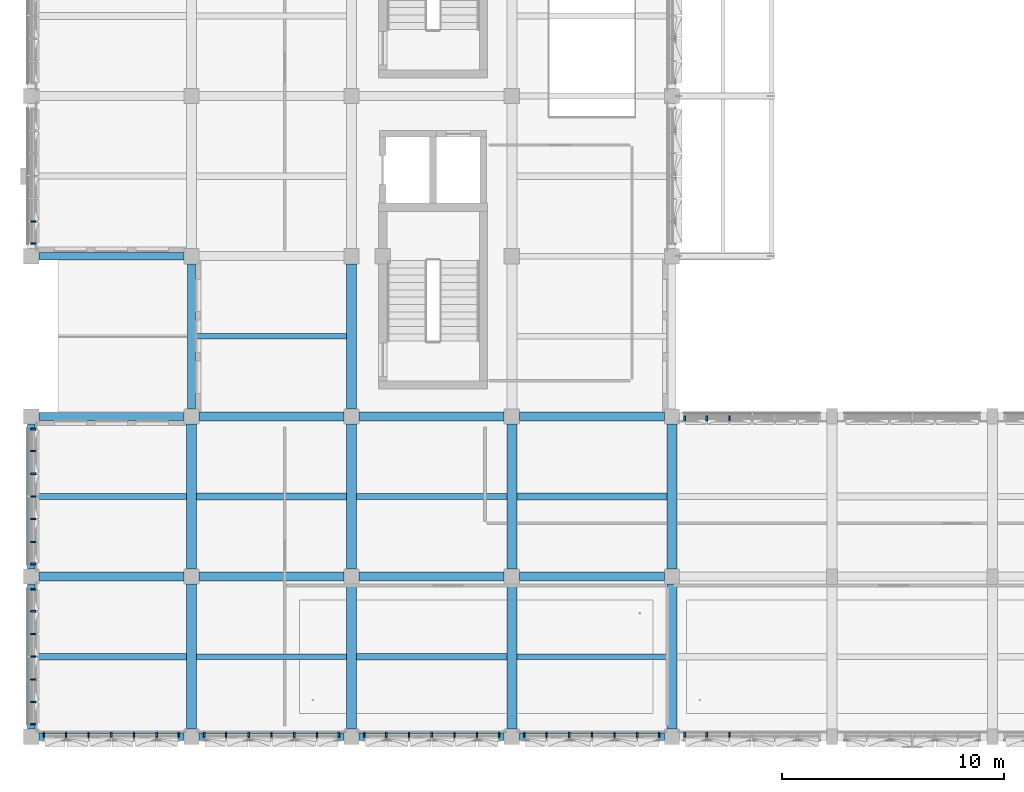
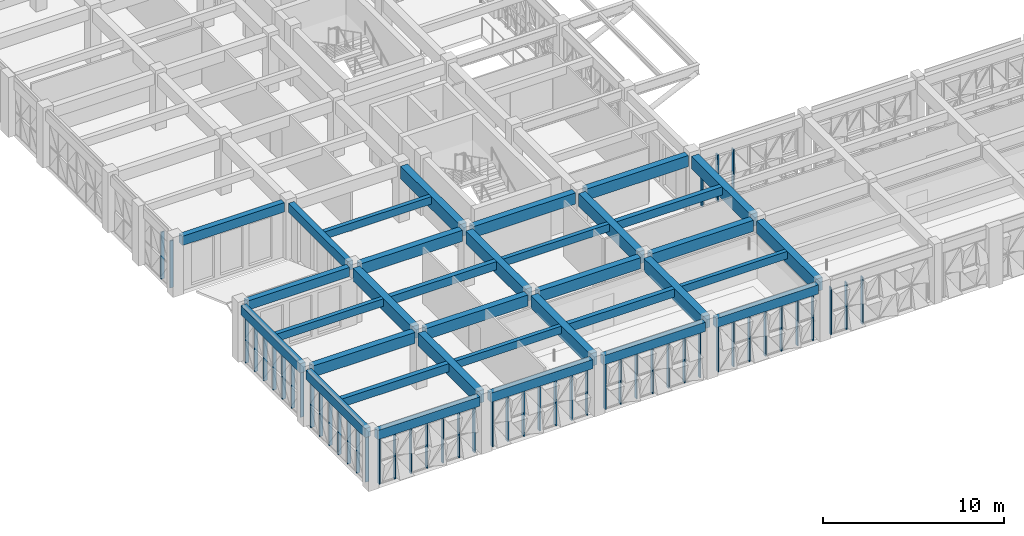
# One storey, part 3 of 88: 50 members, 34 beams, 9 elements without a shape of their own.
"""IFC4 building model written with IfcOpenShell, lengths in metres."""

from ifc_helpers import new_model, si_unit, direction, frame, origin, origin_2d, place, context, subcontext, project, spatial, rectangle, extrude, material, material_profile, profile_set, type_object, element, aggregate, save


model = new_model("IFC4")

# Units and contexts
model_context = context("Model", 3, precision=1e-05, world=origin(), true_north=direction((0.0, 1.0)))
body_context = subcontext(model_context, "Body", "Model", "MODEL_VIEW")
ifc_project = project(units=[si_unit("LENGTHUNIT", "METRE"), si_unit("AREAUNIT", "SQUARE_METRE"), si_unit("VOLUMEUNIT", "CUBIC_METRE"), si_unit("PLANEANGLEUNIT", "RADIAN"), si_unit("MASSUNIT", "GRAM", prefix="KILO")], contexts=[model_context])

# Site, building, storey
site_placement = place(None, origin())
site = spatial("IfcSite", under=ifc_project, at=site_placement, CompositionType="ELEMENT")
building_placement = place(site_placement, origin())
building = spatial("IfcBuilding", under=site, at=building_placement, Name="Alvorim Cloister Faculty of Sciences", CompositionType="ELEMENT")
storey_placement = place(building_placement, frame((0.0, 0.0, 4.5)))
storey = spatial("IfcBuildingStorey", under=building, at=storey_placement, Name="L01", CompositionType="ELEMENT", Elevation=4.5)

# Beams
ifc_material_1 = material(Name="Concrete C40", Category="concrete")
ifc_material_profile_1 = material_profile(ifc_material_1, rectangle(XDim=0.260009765625, YDim=0.5, at=origin_2d()), Name="RC40-JST-260x500")
ifc_profile_set_1 = profile_set([ifc_material_profile_1], Name="Concrete C40")
beam_type_1 = type_object("IfcBeamType", Name="BM-JST-RC-260x500", PredefinedType="JOIST", material=ifc_profile_set_1)
beam_1_placement = place(storey_placement, frame((0.175048828125, 10.800048828125, 3.5400390625), z_axis=(1.0, 0.0, 0.0), x_axis=(0.0, 1.0, 0.0)))
element("IfcBeam", 1, at=beam_1_placement, inside=storey, type_object=beam_type_1, Name="L01 Secondary Floor Joist BM-1144", PredefinedType="JOIST", context=body_context, shape_type="SweptSolid", body=[
    extrude(rectangle(XDim=0.260009765625, YDim=0.5, at=origin_2d()), origin(), (0.0, 0.0, 1.0), 6.800048828125),
])
beam_2_placement = place(storey_placement, frame((7.425048828125, 3.60009765625, 3.5400390625), z_axis=(1.0, 0.0, 0.0), x_axis=(0.0, 1.0, 0.0)))
element("IfcBeam", 2, at=beam_2_placement, inside=storey, type_object=beam_type_1, Name="L01 Secondary Floor Joist BM-1158", PredefinedType="JOIST", context=body_context, shape_type="SweptSolid", body=[
    extrude(rectangle(XDim=0.260009765625, YDim=0.5, at=origin_2d()), origin(), (0.0, 0.0, 1.0), 6.75),
])
beam_3_placement = place(storey_placement, frame((7.375, 18.0, 3.5400390625), z_axis=(1.0, 0.0, 0.0), x_axis=(0.0, 1.0, 0.0)))
element("IfcBeam", 3, at=beam_3_placement, inside=storey, type_object=beam_type_1, Name="L01 Secondary Floor Joist BM-1160", PredefinedType="JOIST", context=body_context, shape_type="SweptSolid", body=[
    extrude(rectangle(XDim=0.260009765625, YDim=0.5, at=origin_2d()), origin(), (0.0, 0.0, 1.0), 6.800048828125),
])
for number, where, z_axis, x_axis, name in (
    (4, (14.625, 10.800048828125, 3.5400390625), (1.0, 0.0, 0.0), (0.0, 1.0, 0.0), "L01 Secondary Floor Joist BM-1175"),
    (5, (21.824951171875, 3.60009765625, 3.5400390625), (1.0, 0.0, 0.0), (0.0, 1.0, 0.0), "L01 Secondary Floor Joist BM-1182"),
):
    element("IfcBeam", number, at=place(storey_placement, frame(where, z_axis=z_axis, x_axis=x_axis)), inside=storey, type_object=beam_type_1, Name=name, PredefinedType="JOIST", context=body_context, shape_type="SweptSolid", body=[
        extrude(rectangle(XDim=0.260009765625, YDim=0.5, at=origin_2d()), origin(), (0.0, 0.0, 1.0), 6.75),
    ])
ifc_material_profile_2 = material_profile(ifc_material_1, rectangle(XDim=0.300048828125, YDim=0.550048828125, at=origin_2d()), Name="RC40-JST-300x550")
ifc_profile_set_2 = profile_set([ifc_material_profile_2], Name="Concrete C40")
beam_type_2 = type_object("IfcBeamType", Name="BM-JST-RC-300x550", PredefinedType="JOIST", material=ifc_profile_set_2)
beam_4_placement = place(storey_placement, frame((0.175048828125, 3.60009765625, 3.514892578125), z_axis=(1.0, 0.0, 0.0), x_axis=(0.0, 1.0, 0.0)))
element("IfcBeam", 6, at=beam_4_placement, inside=storey, type_object=beam_type_2, Name="L01 Secondary Floor Joist BM-1143", PredefinedType="JOIST", context=body_context, shape_type="SweptSolid", body=[
    extrude(rectangle(XDim=0.300048828125, YDim=0.550048828125, at=origin_2d()), origin(), (0.0, 0.0, 1.0), 6.800048828125),
])
for number, where, z_axis, x_axis, name in (
    (7, (7.425048828125, 10.800048828125, 3.514892578125), (1.0, 0.0, 0.0), (0.0, 1.0, 0.0), "L01 Secondary Floor Joist BM-1159"),
    (8, (14.625, 3.60009765625, 3.514892578125), (1.0, 0.0, 0.0), (0.0, 1.0, 0.0), "L01 Secondary Floor Joist BM-1174"),
    (9, (21.824951171875, 10.800048828125, 3.514892578125), (1.0, 0.0, 0.0), (0.0, 1.0, 0.0), "L01 Secondary Floor Joist BM-1183"),
):
    element("IfcBeam", number, at=place(storey_placement, frame(where, z_axis=z_axis, x_axis=x_axis)), inside=storey, type_object=beam_type_2, Name=name, PredefinedType="JOIST", context=body_context, shape_type="SweptSolid", body=[
        extrude(rectangle(XDim=0.300048828125, YDim=0.550048828125, at=origin_2d()), origin(), (0.0, 0.0, 1.0), 6.75),
    ])
ifc_material_profile_3 = material_profile(ifc_material_1, rectangle(XDim=0.39990234375, YDim=0.75, at=origin_2d()), Name="RC40-BM-400x750")
ifc_profile_set_3 = profile_set([ifc_material_profile_3], Name="Concrete C40")
beam_type_3 = type_object("IfcBeamType", Name="BM-RC-400x750", PredefinedType="BEAM", material=ifc_profile_set_3)
for number, where, z_axis, x_axis, name in (
    (10, (0.340087890625, 7.199951171875, 3.4150390625), (1.0, 0.0, 0.0), (0.0, 1.0, 0.0), "L01 Primary Beam BM-0906"),
    (11, (7.5400390625, 7.199951171875, 3.4150390625), (1.0, 0.0, 0.0), (0.0, 1.0, 0.0), "L01 Primary Beam BM-0907"),
    (12, (14.739990234375, 7.199951171875, 3.4150390625), (1.0, 0.0, 0.0), (0.0, 1.0, 0.0), "L01 Primary Beam BM-0908"),
    (13, (21.93994140625, 7.199951171875, 3.4150390625), (1.0, 0.0, 0.0), (0.0, 1.0, 0.0), "L01 Primary Beam BM-0909"),
    (14, (7.5400390625, 14.39990234375, 3.4150390625), (1.0, 0.0, 0.0), (0.0, 1.0, 0.0), "L01 Primary Beam BM-0925"),
    (15, (14.739990234375, 14.39990234375, 3.4150390625), (1.0, 0.0, 0.0), (0.0, 1.0, 0.0), "L01 Primary Beam BM-0926"),
    (16, (21.93994140625, 14.39990234375, 3.4150390625), (1.0, 0.0, 0.0), (0.0, 1.0, 0.0), "L01 Primary Beam BM-0927"),
):
    element("IfcBeam", number, at=place(storey_placement, frame(where, z_axis=z_axis, x_axis=x_axis)), inside=storey, type_object=beam_type_3, Name=name, PredefinedType="BEAM", context=body_context, shape_type="SweptSolid", body=[
        extrude(rectangle(XDim=0.39990234375, YDim=0.75, at=origin_2d()), origin(), (0.0, 0.0, 1.0), 6.52001953125),
    ])
ifc_material_profile_4 = material_profile(ifc_material_1, rectangle(XDim=0.449951171875, YDim=0.85009765625, at=origin_2d()), Name="RC40-BM-450x850")
ifc_profile_set_4 = profile_set([ifc_material_profile_4], Name="Concrete C40")
beam_type_4 = type_object("IfcBeamType", Name="BM-RC-450x850", PredefinedType="BEAM", material=ifc_profile_set_4)
for number, where, z_axis, x_axis, name in (
    (17, (7.199951171875, 0.340087890625, 3.364990234375), (0.0, 1.0, 0.0), (-1.0, 0.0, 0.0), "L01 Primary Girder BM-1032"),
    (18, (7.199951171875, 7.5400390625, 3.364990234375), (0.0, 1.0, 0.0), (-1.0, 0.0, 0.0), "L01 Primary Girder BM-1033"),
    (19, (14.39990234375, 0.340087890625, 3.364990234375), (0.0, 1.0, 0.0), (-1.0, 0.0, 0.0), "L01 Primary Girder BM-1048"),
    (20, (14.39990234375, 7.5400390625, 3.364990234375), (0.0, 1.0, 0.0), (-1.0, 0.0, 0.0), "L01 Primary Girder BM-1049"),
    (21, (14.39990234375, 14.739990234375, 3.364990234375), (0.0, 1.0, 0.0), (-1.0, 0.0, 0.0), "L01 Primary Girder BM-1050"),
    (22, (21.60009765625, 0.340087890625, 3.364990234375), (0.0, 1.0, 0.0), (-1.0, 0.0, 0.0), "L01 Primary Girder BM-1064"),
    (23, (21.60009765625, 7.5400390625, 3.364990234375), (0.0, 1.0, 0.0), (-1.0, 0.0, 0.0), "L01 Primary Girder BM-1065"),
    (24, (28.800048828125, 0.340087890625, 3.364990234375), (0.0, 1.0, 0.0), (-1.0, 0.0, 0.0), "L01 Primary Girder BM-1080"),
    (25, (28.800048828125, 7.5400390625, 3.364990234375), (0.0, 1.0, 0.0), (-1.0, 0.0, 0.0), "L01 Primary Girder BM-1081"),
):
    element("IfcBeam", number, at=place(storey_placement, frame(where, z_axis=z_axis, x_axis=x_axis)), inside=storey, type_object=beam_type_4, Name=name, PredefinedType="BEAM", context=body_context, shape_type="SweptSolid", body=[
        extrude(rectangle(XDim=0.449951171875, YDim=0.85009765625, at=origin_2d()), origin(), (0.0, 0.0, 1.0), 6.52001953125),
    ])
ifc_material_profile_5 = material_profile(ifc_material_1, rectangle(XDim=0.35009765625, YDim=0.6201171875, at=origin_2d()), Name="RC40-SPD-350x620")
ifc_profile_set_5 = profile_set([ifc_material_profile_5], Name="Concrete C40")
beam_type_5 = type_object("IfcBeamType", Name="BM-SPD-RC-350x620", PredefinedType="SPANDREL", material=ifc_profile_set_5)
for number, where, z_axis, x_axis, name in (
    (26, (0.340087890625, 0.0, 3.47998046875), (1.0, 0.0, 0.0), (0.0, 1.0, 0.0), "L01 Primary Beam BM-0883"),
    (27, (7.5400390625, 0.0, 3.47998046875), (1.0, 0.0, 0.0), (0.0, 1.0, 0.0), "L01 Primary Beam BM-0884"),
    (28, (14.739990234375, 0.0, 3.47998046875), (1.0, 0.0, 0.0), (0.0, 1.0, 0.0), "L01 Primary Beam BM-0885"),
    (29, (21.93994140625, 0.0, 3.47998046875), (1.0, 0.0, 0.0), (0.0, 1.0, 0.0), "L01 Primary Beam BM-0886"),
    (30, (0.340087890625, 14.39990234375, 3.47998046875), (1.0, 0.0, 0.0), (0.0, 1.0, 0.0), "L01 Primary Beam BM-0924"),
    (31, (0.340087890625, 21.60009765625, 3.47998046875), (1.0, 0.0, 0.0), (0.0, 1.0, 0.0), "L01 Primary Beam BM-0935"),
    (32, (0.0, 0.340087890625, 3.47998046875), (0.0, 1.0, 0.0), (-1.0, 0.0, 0.0), "L01 Primary Girder BM-1017"),
    (33, (0.0, 7.5400390625, 3.47998046875), (0.0, 1.0, 0.0), (-1.0, 0.0, 0.0), "L01 Primary Girder BM-1018"),
    (34, (7.199951171875, 14.739990234375, 3.47998046875), (0.0, 1.0, 0.0), (-1.0, 0.0, 0.0), "L01 Primary Girder BM-1034"),
):
    element("IfcBeam", number, at=place(storey_placement, frame(where, z_axis=z_axis, x_axis=x_axis)), inside=storey, type_object=beam_type_5, Name=name, PredefinedType="SPANDREL", context=body_context, shape_type="SweptSolid", body=[
        extrude(rectangle(XDim=0.35009765625, YDim=0.6201171875, at=origin_2d()), origin(), (0.0, 0.0, 1.0), 6.52001953125),
    ])

# Curtain wall, members
ifc_material_2 = material(Name="Aluminium and Low-E Glass Curtain Wall", Category="aluminium")
curtain_wall_type = type_object("IfcCurtainWallType", Name="CW-TRI-6120x3170", PredefinedType="USERDEFINED", material=ifc_material_2)
curtain_wall_1_placement = place(storey_placement, origin())
curtain_wall_1 = element("IfcCurtainWall", 35, at=curtain_wall_1_placement, inside=storey, type_object=curtain_wall_type, Name="L01 Diagonal Cassette Curtain Wall CW-0007", ObjectType="UNITISED CURTAIN WALL", PredefinedType="USERDEFINED")
ifc_material_3 = material(Name="Aluminium Alloy 6063-T6", Category="aluminium")
ifc_material_profile_6 = material_profile(ifc_material_3, rectangle(XDim=0.074951171875, YDim=0.219970703125, at=origin_2d()), Name="ALU-MUL-75x220")
ifc_profile_set_6 = profile_set([ifc_material_profile_6], Name="Aluminium Alloy 6063-T6")
member_type = type_object("IfcMemberType", Name="CW-MUL-75x220", PredefinedType="MULLION", material=ifc_profile_set_6)
member_1_placement = place(storey_placement, frame((0.090087890625, 22.177490234375, 0.0), z_axis=(0.0, 0.0, 1.0), x_axis=(0.0, 1.0, 0.0)))
member_1 = element("IfcMember", 36, at=member_1_placement, type_object=member_type, Name="CW-0007 Mullion 1", PredefinedType="MULLION", context=body_context, shape_type="SweptSolid", body=[
    extrude(rectangle(XDim=0.074951171875, YDim=0.219970703125, at=origin_2d()), origin(), (0.0, 0.0, 1.0), 3.169921875),
])
member_2_placement = place(storey_placement, frame((0.090087890625, 23.159912109375, 0.0), z_axis=(0.0, 0.0, 1.0), x_axis=(0.0, 1.0, 0.0)))
member_2 = element("IfcMember", 37, at=member_2_placement, type_object=member_type, Name="CW-0007 Mullion 2", PredefinedType="MULLION", context=body_context, shape_type="SweptSolid", body=[
    extrude(rectangle(XDim=0.074951171875, YDim=0.219970703125, at=origin_2d()), origin(), (0.0, 0.0, 1.0), 3.169921875),
])
aggregate(curtain_wall_1, [member_1, member_2])

curtain_wall_2_placement = place(storey_placement, origin())
curtain_wall_2 = element("IfcCurtainWall", 38, at=curtain_wall_2_placement, inside=storey, type_object=curtain_wall_type, Name="L01 Diagonal Cassette Curtain Wall CW-0027", ObjectType="UNITISED CURTAIN WALL", PredefinedType="USERDEFINED")
member_3_placement = place(storey_placement, frame((29.37744140625, 14.31005859375, 0.0), z_axis=(0.0, 0.0, 1.0), x_axis=(1.0, 0.0, 0.0)))
member_3 = element("IfcMember", 39, at=member_3_placement, type_object=member_type, Name="CW-0027 Mullion 1", PredefinedType="MULLION", context=body_context, shape_type="SweptSolid", body=[
    extrude(rectangle(XDim=0.074951171875, YDim=0.219970703125, at=origin_2d()), origin(), (0.0, 0.0, 1.0), 3.169921875),
])
member_4_placement = place(storey_placement, frame((30.360107421875, 14.31005859375, 0.0), z_axis=(0.0, 0.0, 1.0), x_axis=(1.0, 0.0, 0.0)))
member_4 = element("IfcMember", 40, at=member_4_placement, type_object=member_type, Name="CW-0027 Mullion 2", PredefinedType="MULLION", context=body_context, shape_type="SweptSolid", body=[
    extrude(rectangle(XDim=0.074951171875, YDim=0.219970703125, at=origin_2d()), origin(), (0.0, 0.0, 1.0), 3.169921875),
])
member_5_placement = place(storey_placement, frame((31.3798828125, 14.31005859375, 0.0), z_axis=(0.0, 0.0, 1.0), x_axis=(1.0, 0.0, 0.0)))
member_5 = element("IfcMember", 41, at=member_5_placement, type_object=member_type, Name="CW-0027 Mullion 3", PredefinedType="MULLION", context=body_context, shape_type="SweptSolid", body=[
    extrude(rectangle(XDim=0.074951171875, YDim=0.219970703125, at=origin_2d()), origin(), (0.0, 0.0, 1.0), 3.169921875),
])
aggregate(curtain_wall_2, [member_3, member_4, member_5])

curtain_wall_3_placement = place(storey_placement, origin())
curtain_wall_3 = element("IfcCurtainWall", 42, at=curtain_wall_3_placement, inside=storey, type_object=curtain_wall_type, Name="L01 Diagonal Cassette Curtain Wall CW-0044", ObjectType="UNITISED CURTAIN WALL", PredefinedType="USERDEFINED")
member_6_placement = place(storey_placement, frame((29.37744140625, 0.090087890625, 0.0), z_axis=(0.0, 0.0, 1.0), x_axis=(1.0, 0.0, 0.0)))
member_6 = element("IfcMember", 43, at=member_6_placement, type_object=member_type, Name="CW-0044 Mullion 1", PredefinedType="MULLION", context=body_context, shape_type="SweptSolid", body=[
    extrude(rectangle(XDim=0.074951171875, YDim=0.219970703125, at=origin_2d()), origin(), (0.0, 0.0, 1.0), 3.169921875),
])
member_7_placement = place(storey_placement, frame((30.360107421875, 0.090087890625, 0.0), z_axis=(0.0, 0.0, 1.0), x_axis=(1.0, 0.0, 0.0)))
member_7 = element("IfcMember", 44, at=member_7_placement, type_object=member_type, Name="CW-0044 Mullion 2", PredefinedType="MULLION", context=body_context, shape_type="SweptSolid", body=[
    extrude(rectangle(XDim=0.074951171875, YDim=0.219970703125, at=origin_2d()), origin(), (0.0, 0.0, 1.0), 3.169921875),
])
member_8_placement = place(storey_placement, frame((31.3798828125, 0.090087890625, 0.0), z_axis=(0.0, 0.0, 1.0), x_axis=(1.0, 0.0, 0.0)))
member_8 = element("IfcMember", 45, at=member_8_placement, type_object=member_type, Name="CW-0044 Mullion 3", PredefinedType="MULLION", context=body_context, shape_type="SweptSolid", body=[
    extrude(rectangle(XDim=0.074951171875, YDim=0.219970703125, at=origin_2d()), origin(), (0.0, 0.0, 1.0), 3.169921875),
])
aggregate(curtain_wall_3, [member_6, member_7, member_8])

curtain_wall_4_placement = place(storey_placement, origin())
curtain_wall_4 = element("IfcCurtainWall", 46, at=curtain_wall_4_placement, inside=storey, type_object=curtain_wall_type, Name="L01 Diagonal Cassette Curtain Wall CW-0045", ObjectType="UNITISED CURTAIN WALL", PredefinedType="USERDEFINED")
member_9_placement = place(storey_placement, frame((22.177490234375, 0.090087890625, 0.0), z_axis=(0.0, 0.0, 1.0), x_axis=(1.0, 0.0, 0.0)))
member_9 = element("IfcMember", 47, at=member_9_placement, type_object=member_type, Name="CW-0045 Mullion 1", PredefinedType="MULLION", context=body_context, shape_type="SweptSolid", body=[
    extrude(rectangle(XDim=0.074951171875, YDim=0.219970703125, at=origin_2d()), origin(), (0.0, 0.0, 1.0), 3.169921875),
])
member_10_placement = place(storey_placement, frame((23.159912109375, 0.090087890625, 0.0), z_axis=(0.0, 0.0, 1.0), x_axis=(1.0, 0.0, 0.0)))
member_10 = element("IfcMember", 48, at=member_10_placement, type_object=member_type, Name="CW-0045 Mullion 2", PredefinedType="MULLION", context=body_context, shape_type="SweptSolid", body=[
    extrude(rectangle(XDim=0.074951171875, YDim=0.219970703125, at=origin_2d()), origin(), (0.0, 0.0, 1.0), 3.169921875),
])
member_11_placement = place(storey_placement, frame((24.179931640625, 0.090087890625, 0.0), z_axis=(0.0, 0.0, 1.0), x_axis=(1.0, 0.0, 0.0)))
member_11 = element("IfcMember", 49, at=member_11_placement, type_object=member_type, Name="CW-0045 Mullion 3", PredefinedType="MULLION", context=body_context, shape_type="SweptSolid", body=[
    extrude(rectangle(XDim=0.074951171875, YDim=0.219970703125, at=origin_2d()), origin(), (0.0, 0.0, 1.0), 3.169921875),
])
member_12_placement = place(storey_placement, frame((25.199951171875, 0.090087890625, 0.0), z_axis=(0.0, 0.0, 1.0), x_axis=(1.0, 0.0, 0.0)))
member_12 = element("IfcMember", 50, at=member_12_placement, type_object=member_type, Name="CW-0045 Mullion 4", PredefinedType="MULLION", context=body_context, shape_type="SweptSolid", body=[
    extrude(rectangle(XDim=0.074951171875, YDim=0.219970703125, at=origin_2d()), origin(), (0.0, 0.0, 1.0), 3.169921875),
])
member_13_placement = place(storey_placement, frame((26.219970703125, 0.090087890625, 0.0), z_axis=(0.0, 0.0, 1.0), x_axis=(1.0, 0.0, 0.0)))
member_13 = element("IfcMember", 51, at=member_13_placement, type_object=member_type, Name="CW-0045 Mullion 5", PredefinedType="MULLION", context=body_context, shape_type="SweptSolid", body=[
    extrude(rectangle(XDim=0.074951171875, YDim=0.219970703125, at=origin_2d()), origin(), (0.0, 0.0, 1.0), 3.169921875),
])
member_14_placement = place(storey_placement, frame((27.239990234375, 0.090087890625, 0.0), z_axis=(0.0, 0.0, 1.0), x_axis=(1.0, 0.0, 0.0)))
member_14 = element("IfcMember", 52, at=member_14_placement, type_object=member_type, Name="CW-0045 Mullion 6", PredefinedType="MULLION", context=body_context, shape_type="SweptSolid", body=[
    extrude(rectangle(XDim=0.074951171875, YDim=0.219970703125, at=origin_2d()), origin(), (0.0, 0.0, 1.0), 3.169921875),
])
member_15_placement = place(storey_placement, frame((28.222412109375, 0.090087890625, 0.0), z_axis=(0.0, 0.0, 1.0), x_axis=(1.0, 0.0, 0.0)))
member_15 = element("IfcMember", 53, at=member_15_placement, type_object=member_type, Name="CW-0045 Mullion 7", PredefinedType="MULLION", context=body_context, shape_type="SweptSolid", body=[
    extrude(rectangle(XDim=0.074951171875, YDim=0.219970703125, at=origin_2d()), origin(), (0.0, 0.0, 1.0), 3.169921875),
])
aggregate(curtain_wall_4, [member_9, member_10, member_11, member_12, member_13, member_14, member_15])

curtain_wall_5_placement = place(storey_placement, origin())
curtain_wall_5 = element("IfcCurtainWall", 54, at=curtain_wall_5_placement, inside=storey, type_object=curtain_wall_type, Name="L01 Diagonal Cassette Curtain Wall CW-0046", ObjectType="UNITISED CURTAIN WALL", PredefinedType="USERDEFINED")
member_16_placement = place(storey_placement, frame((14.9775390625, 0.090087890625, 0.0), z_axis=(0.0, 0.0, 1.0), x_axis=(1.0, 0.0, 0.0)))
member_16 = element("IfcMember", 55, at=member_16_placement, type_object=member_type, Name="CW-0046 Mullion 1", PredefinedType="MULLION", context=body_context, shape_type="SweptSolid", body=[
    extrude(rectangle(XDim=0.074951171875, YDim=0.219970703125, at=origin_2d()), origin(), (0.0, 0.0, 1.0), 3.169921875),
])
member_17_placement = place(storey_placement, frame((15.9599609375, 0.090087890625, 0.0), z_axis=(0.0, 0.0, 1.0), x_axis=(1.0, 0.0, 0.0)))
member_17 = element("IfcMember", 56, at=member_17_placement, type_object=member_type, Name="CW-0046 Mullion 2", PredefinedType="MULLION", context=body_context, shape_type="SweptSolid", body=[
    extrude(rectangle(XDim=0.074951171875, YDim=0.219970703125, at=origin_2d()), origin(), (0.0, 0.0, 1.0), 3.169921875),
])
member_18_placement = place(storey_placement, frame((16.97998046875, 0.090087890625, 0.0), z_axis=(0.0, 0.0, 1.0), x_axis=(1.0, 0.0, 0.0)))
member_18 = element("IfcMember", 57, at=member_18_placement, type_object=member_type, Name="CW-0046 Mullion 3", PredefinedType="MULLION", context=body_context, shape_type="SweptSolid", body=[
    extrude(rectangle(XDim=0.074951171875, YDim=0.219970703125, at=origin_2d()), origin(), (0.0, 0.0, 1.0), 3.169921875),
])
member_19_placement = place(storey_placement, frame((18.0, 0.090087890625, 0.0), z_axis=(0.0, 0.0, 1.0), x_axis=(1.0, 0.0, 0.0)))
member_19 = element("IfcMember", 58, at=member_19_placement, type_object=member_type, Name="CW-0046 Mullion 4", PredefinedType="MULLION", context=body_context, shape_type="SweptSolid", body=[
    extrude(rectangle(XDim=0.074951171875, YDim=0.219970703125, at=origin_2d()), origin(), (0.0, 0.0, 1.0), 3.169921875),
])
member_20_placement = place(storey_placement, frame((19.02001953125, 0.090087890625, 0.0), z_axis=(0.0, 0.0, 1.0), x_axis=(1.0, 0.0, 0.0)))
member_20 = element("IfcMember", 59, at=member_20_placement, type_object=member_type, Name="CW-0046 Mullion 5", PredefinedType="MULLION", context=body_context, shape_type="SweptSolid", body=[
    extrude(rectangle(XDim=0.074951171875, YDim=0.219970703125, at=origin_2d()), origin(), (0.0, 0.0, 1.0), 3.169921875),
])
member_21_placement = place(storey_placement, frame((20.0400390625, 0.090087890625, 0.0), z_axis=(0.0, 0.0, 1.0), x_axis=(1.0, 0.0, 0.0)))
member_21 = element("IfcMember", 60, at=member_21_placement, type_object=member_type, Name="CW-0046 Mullion 6", PredefinedType="MULLION", context=body_context, shape_type="SweptSolid", body=[
    extrude(rectangle(XDim=0.074951171875, YDim=0.219970703125, at=origin_2d()), origin(), (0.0, 0.0, 1.0), 3.169921875),
])
member_22_placement = place(storey_placement, frame((21.0224609375, 0.090087890625, 0.0), z_axis=(0.0, 0.0, 1.0), x_axis=(1.0, 0.0, 0.0)))
member_22 = element("IfcMember", 61, at=member_22_placement, type_object=member_type, Name="CW-0046 Mullion 7", PredefinedType="MULLION", context=body_context, shape_type="SweptSolid", body=[
    extrude(rectangle(XDim=0.074951171875, YDim=0.219970703125, at=origin_2d()), origin(), (0.0, 0.0, 1.0), 3.169921875),
])
aggregate(curtain_wall_5, [member_16, member_17, member_18, member_19, member_20, member_21, member_22])

curtain_wall_6_placement = place(storey_placement, origin())
curtain_wall_6 = element("IfcCurtainWall", 62, at=curtain_wall_6_placement, inside=storey, type_object=curtain_wall_type, Name="L01 Diagonal Cassette Curtain Wall CW-0047", ObjectType="UNITISED CURTAIN WALL", PredefinedType="USERDEFINED")
member_23_placement = place(storey_placement, frame((7.777587890625, 0.090087890625, 0.0), z_axis=(0.0, 0.0, 1.0), x_axis=(1.0, 0.0, 0.0)))
member_23 = element("IfcMember", 63, at=member_23_placement, type_object=member_type, Name="CW-0047 Mullion 1", PredefinedType="MULLION", context=body_context, shape_type="SweptSolid", body=[
    extrude(rectangle(XDim=0.074951171875, YDim=0.219970703125, at=origin_2d()), origin(), (0.0, 0.0, 1.0), 3.169921875),
])
member_24_placement = place(storey_placement, frame((8.760009765625, 0.090087890625, 0.0), z_axis=(0.0, 0.0, 1.0), x_axis=(1.0, 0.0, 0.0)))
member_24 = element("IfcMember", 64, at=member_24_placement, type_object=member_type, Name="CW-0047 Mullion 2", PredefinedType="MULLION", context=body_context, shape_type="SweptSolid", body=[
    extrude(rectangle(XDim=0.074951171875, YDim=0.219970703125, at=origin_2d()), origin(), (0.0, 0.0, 1.0), 3.169921875),
])
member_25_placement = place(storey_placement, frame((9.780029296875, 0.090087890625, 0.0), z_axis=(0.0, 0.0, 1.0), x_axis=(1.0, 0.0, 0.0)))
member_25 = element("IfcMember", 65, at=member_25_placement, type_object=member_type, Name="CW-0047 Mullion 3", PredefinedType="MULLION", context=body_context, shape_type="SweptSolid", body=[
    extrude(rectangle(XDim=0.074951171875, YDim=0.219970703125, at=origin_2d()), origin(), (0.0, 0.0, 1.0), 3.169921875),
])
member_26_placement = place(storey_placement, frame((10.800048828125, 0.090087890625, 0.0), z_axis=(0.0, 0.0, 1.0), x_axis=(1.0, 0.0, 0.0)))
member_26 = element("IfcMember", 66, at=member_26_placement, type_object=member_type, Name="CW-0047 Mullion 4", PredefinedType="MULLION", context=body_context, shape_type="SweptSolid", body=[
    extrude(rectangle(XDim=0.074951171875, YDim=0.219970703125, at=origin_2d()), origin(), (0.0, 0.0, 1.0), 3.169921875),
])
member_27_placement = place(storey_placement, frame((11.820068359375, 0.090087890625, 0.0), z_axis=(0.0, 0.0, 1.0), x_axis=(1.0, 0.0, 0.0)))
member_27 = element("IfcMember", 67, at=member_27_placement, type_object=member_type, Name="CW-0047 Mullion 5", PredefinedType="MULLION", context=body_context, shape_type="SweptSolid", body=[
    extrude(rectangle(XDim=0.074951171875, YDim=0.219970703125, at=origin_2d()), origin(), (0.0, 0.0, 1.0), 3.169921875),
])
member_28_placement = place(storey_placement, frame((12.840087890625, 0.090087890625, 0.0), z_axis=(0.0, 0.0, 1.0), x_axis=(1.0, 0.0, 0.0)))
member_28 = element("IfcMember", 68, at=member_28_placement, type_object=member_type, Name="CW-0047 Mullion 6", PredefinedType="MULLION", context=body_context, shape_type="SweptSolid", body=[
    extrude(rectangle(XDim=0.074951171875, YDim=0.219970703125, at=origin_2d()), origin(), (0.0, 0.0, 1.0), 3.169921875),
])
member_29_placement = place(storey_placement, frame((13.822509765625, 0.090087890625, 0.0), z_axis=(0.0, 0.0, 1.0), x_axis=(1.0, 0.0, 0.0)))
member_29 = element("IfcMember", 69, at=member_29_placement, type_object=member_type, Name="CW-0047 Mullion 7", PredefinedType="MULLION", context=body_context, shape_type="SweptSolid", body=[
    extrude(rectangle(XDim=0.074951171875, YDim=0.219970703125, at=origin_2d()), origin(), (0.0, 0.0, 1.0), 3.169921875),
])
aggregate(curtain_wall_6, [member_23, member_24, member_25, member_26, member_27, member_28, member_29])

curtain_wall_7_placement = place(storey_placement, origin())
curtain_wall_7 = element("IfcCurtainWall", 70, at=curtain_wall_7_placement, inside=storey, type_object=curtain_wall_type, Name="L01 Diagonal Cassette Curtain Wall CW-0048", ObjectType="UNITISED CURTAIN WALL", PredefinedType="USERDEFINED")
member_30_placement = place(storey_placement, frame((0.577392578125, 0.090087890625, 0.0), z_axis=(0.0, 0.0, 1.0), x_axis=(1.0, 0.0, 0.0)))
member_30 = element("IfcMember", 71, at=member_30_placement, type_object=member_type, Name="CW-0048 Mullion 1", PredefinedType="MULLION", context=body_context, shape_type="SweptSolid", body=[
    extrude(rectangle(XDim=0.074951171875, YDim=0.219970703125, at=origin_2d()), origin(), (0.0, 0.0, 1.0), 3.169921875),
])
member_31_placement = place(storey_placement, frame((1.56005859375, 0.090087890625, 0.0), z_axis=(0.0, 0.0, 1.0), x_axis=(1.0, 0.0, 0.0)))
member_31 = element("IfcMember", 72, at=member_31_placement, type_object=member_type, Name="CW-0048 Mullion 2", PredefinedType="MULLION", context=body_context, shape_type="SweptSolid", body=[
    extrude(rectangle(XDim=0.074951171875, YDim=0.219970703125, at=origin_2d()), origin(), (0.0, 0.0, 1.0), 3.169921875),
])
member_32_placement = place(storey_placement, frame((2.580078125, 0.090087890625, 0.0), z_axis=(0.0, 0.0, 1.0), x_axis=(1.0, 0.0, 0.0)))
member_32 = element("IfcMember", 73, at=member_32_placement, type_object=member_type, Name="CW-0048 Mullion 3", PredefinedType="MULLION", context=body_context, shape_type="SweptSolid", body=[
    extrude(rectangle(XDim=0.074951171875, YDim=0.219970703125, at=origin_2d()), origin(), (0.0, 0.0, 1.0), 3.169921875),
])
member_33_placement = place(storey_placement, frame((3.60009765625, 0.090087890625, 0.0), z_axis=(0.0, 0.0, 1.0), x_axis=(1.0, 0.0, 0.0)))
member_33 = element("IfcMember", 74, at=member_33_placement, type_object=member_type, Name="CW-0048 Mullion 4", PredefinedType="MULLION", context=body_context, shape_type="SweptSolid", body=[
    extrude(rectangle(XDim=0.074951171875, YDim=0.219970703125, at=origin_2d()), origin(), (0.0, 0.0, 1.0), 3.169921875),
])
member_34_placement = place(storey_placement, frame((4.6201171875, 0.090087890625, 0.0), z_axis=(0.0, 0.0, 1.0), x_axis=(1.0, 0.0, 0.0)))
member_34 = element("IfcMember", 75, at=member_34_placement, type_object=member_type, Name="CW-0048 Mullion 5", PredefinedType="MULLION", context=body_context, shape_type="SweptSolid", body=[
    extrude(rectangle(XDim=0.074951171875, YDim=0.219970703125, at=origin_2d()), origin(), (0.0, 0.0, 1.0), 3.169921875),
])
member_35_placement = place(storey_placement, frame((5.639892578125, 0.090087890625, 0.0), z_axis=(0.0, 0.0, 1.0), x_axis=(1.0, 0.0, 0.0)))
member_35 = element("IfcMember", 76, at=member_35_placement, type_object=member_type, Name="CW-0048 Mullion 6", PredefinedType="MULLION", context=body_context, shape_type="SweptSolid", body=[
    extrude(rectangle(XDim=0.074951171875, YDim=0.219970703125, at=origin_2d()), origin(), (0.0, 0.0, 1.0), 3.169921875),
])
member_36_placement = place(storey_placement, frame((6.62255859375, 0.090087890625, 0.0), z_axis=(0.0, 0.0, 1.0), x_axis=(1.0, 0.0, 0.0)))
member_36 = element("IfcMember", 77, at=member_36_placement, type_object=member_type, Name="CW-0048 Mullion 7", PredefinedType="MULLION", context=body_context, shape_type="SweptSolid", body=[
    extrude(rectangle(XDim=0.074951171875, YDim=0.219970703125, at=origin_2d()), origin(), (0.0, 0.0, 1.0), 3.169921875),
])
aggregate(curtain_wall_7, [member_30, member_31, member_32, member_33, member_34, member_35, member_36])

curtain_wall_8_placement = place(storey_placement, origin())
curtain_wall_8 = element("IfcCurtainWall", 78, at=curtain_wall_8_placement, inside=storey, type_object=curtain_wall_type, Name="L01 Diagonal Cassette Curtain Wall CW-0049", ObjectType="UNITISED CURTAIN WALL", PredefinedType="USERDEFINED")
member_37_placement = place(storey_placement, frame((0.090087890625, 0.577392578125, 0.0), z_axis=(0.0, 0.0, 1.0), x_axis=(0.0, 1.0, 0.0)))
member_37 = element("IfcMember", 79, at=member_37_placement, type_object=member_type, Name="CW-0049 Mullion 1", PredefinedType="MULLION", context=body_context, shape_type="SweptSolid", body=[
    extrude(rectangle(XDim=0.074951171875, YDim=0.219970703125, at=origin_2d()), origin(), (0.0, 0.0, 1.0), 3.169921875),
])
member_38_placement = place(storey_placement, frame((0.090087890625, 1.56005859375, 0.0), z_axis=(0.0, 0.0, 1.0), x_axis=(0.0, 1.0, 0.0)))
member_38 = element("IfcMember", 80, at=member_38_placement, type_object=member_type, Name="CW-0049 Mullion 2", PredefinedType="MULLION", context=body_context, shape_type="SweptSolid", body=[
    extrude(rectangle(XDim=0.074951171875, YDim=0.219970703125, at=origin_2d()), origin(), (0.0, 0.0, 1.0), 3.169921875),
])
member_39_placement = place(storey_placement, frame((0.090087890625, 2.580078125, 0.0), z_axis=(0.0, 0.0, 1.0), x_axis=(0.0, 1.0, 0.0)))
member_39 = element("IfcMember", 81, at=member_39_placement, type_object=member_type, Name="CW-0049 Mullion 3", PredefinedType="MULLION", context=body_context, shape_type="SweptSolid", body=[
    extrude(rectangle(XDim=0.074951171875, YDim=0.219970703125, at=origin_2d()), origin(), (0.0, 0.0, 1.0), 3.169921875),
])
member_40_placement = place(storey_placement, frame((0.090087890625, 3.60009765625, 0.0), z_axis=(0.0, 0.0, 1.0), x_axis=(0.0, 1.0, 0.0)))
member_40 = element("IfcMember", 82, at=member_40_placement, type_object=member_type, Name="CW-0049 Mullion 4", PredefinedType="MULLION", context=body_context, shape_type="SweptSolid", body=[
    extrude(rectangle(XDim=0.074951171875, YDim=0.219970703125, at=origin_2d()), origin(), (0.0, 0.0, 1.0), 3.169921875),
])
member_41_placement = place(storey_placement, frame((0.090087890625, 4.6201171875, 0.0), z_axis=(0.0, 0.0, 1.0), x_axis=(0.0, 1.0, 0.0)))
member_41 = element("IfcMember", 83, at=member_41_placement, type_object=member_type, Name="CW-0049 Mullion 5", PredefinedType="MULLION", context=body_context, shape_type="SweptSolid", body=[
    extrude(rectangle(XDim=0.074951171875, YDim=0.219970703125, at=origin_2d()), origin(), (0.0, 0.0, 1.0), 3.169921875),
])
member_42_placement = place(storey_placement, frame((0.090087890625, 5.639892578125, 0.0), z_axis=(0.0, 0.0, 1.0), x_axis=(0.0, 1.0, 0.0)))
member_42 = element("IfcMember", 84, at=member_42_placement, type_object=member_type, Name="CW-0049 Mullion 6", PredefinedType="MULLION", context=body_context, shape_type="SweptSolid", body=[
    extrude(rectangle(XDim=0.074951171875, YDim=0.219970703125, at=origin_2d()), origin(), (0.0, 0.0, 1.0), 3.169921875),
])
member_43_placement = place(storey_placement, frame((0.090087890625, 6.62255859375, 0.0), z_axis=(0.0, 0.0, 1.0), x_axis=(0.0, 1.0, 0.0)))
member_43 = element("IfcMember", 85, at=member_43_placement, type_object=member_type, Name="CW-0049 Mullion 7", PredefinedType="MULLION", context=body_context, shape_type="SweptSolid", body=[
    extrude(rectangle(XDim=0.074951171875, YDim=0.219970703125, at=origin_2d()), origin(), (0.0, 0.0, 1.0), 3.169921875),
])
aggregate(curtain_wall_8, [member_37, member_38, member_39, member_40, member_41, member_42, member_43])

curtain_wall_9_placement = place(storey_placement, origin())
curtain_wall_9 = element("IfcCurtainWall", 86, at=curtain_wall_9_placement, inside=storey, type_object=curtain_wall_type, Name="L01 Diagonal Cassette Curtain Wall CW-0050", ObjectType="UNITISED CURTAIN WALL", PredefinedType="USERDEFINED")
member_44_placement = place(storey_placement, frame((0.090087890625, 7.777587890625, 0.0), z_axis=(0.0, 0.0, 1.0), x_axis=(0.0, 1.0, 0.0)))
member_44 = element("IfcMember", 87, at=member_44_placement, type_object=member_type, Name="CW-0050 Mullion 1", PredefinedType="MULLION", context=body_context, shape_type="SweptSolid", body=[
    extrude(rectangle(XDim=0.074951171875, YDim=0.219970703125, at=origin_2d()), origin(), (0.0, 0.0, 1.0), 3.169921875),
])
member_45_placement = place(storey_placement, frame((0.090087890625, 8.760009765625, 0.0), z_axis=(0.0, 0.0, 1.0), x_axis=(0.0, 1.0, 0.0)))
member_45 = element("IfcMember", 88, at=member_45_placement, type_object=member_type, Name="CW-0050 Mullion 2", PredefinedType="MULLION", context=body_context, shape_type="SweptSolid", body=[
    extrude(rectangle(XDim=0.074951171875, YDim=0.219970703125, at=origin_2d()), origin(), (0.0, 0.0, 1.0), 3.169921875),
])
member_46_placement = place(storey_placement, frame((0.090087890625, 9.780029296875, 0.0), z_axis=(0.0, 0.0, 1.0), x_axis=(0.0, 1.0, 0.0)))
member_46 = element("IfcMember", 89, at=member_46_placement, type_object=member_type, Name="CW-0050 Mullion 3", PredefinedType="MULLION", context=body_context, shape_type="SweptSolid", body=[
    extrude(rectangle(XDim=0.074951171875, YDim=0.219970703125, at=origin_2d()), origin(), (0.0, 0.0, 1.0), 3.169921875),
])
member_47_placement = place(storey_placement, frame((0.090087890625, 10.800048828125, 0.0), z_axis=(0.0, 0.0, 1.0), x_axis=(0.0, 1.0, 0.0)))
member_47 = element("IfcMember", 90, at=member_47_placement, type_object=member_type, Name="CW-0050 Mullion 4", PredefinedType="MULLION", context=body_context, shape_type="SweptSolid", body=[
    extrude(rectangle(XDim=0.074951171875, YDim=0.219970703125, at=origin_2d()), origin(), (0.0, 0.0, 1.0), 3.169921875),
])
member_48_placement = place(storey_placement, frame((0.090087890625, 11.820068359375, 0.0), z_axis=(0.0, 0.0, 1.0), x_axis=(0.0, 1.0, 0.0)))
member_48 = element("IfcMember", 91, at=member_48_placement, type_object=member_type, Name="CW-0050 Mullion 5", PredefinedType="MULLION", context=body_context, shape_type="SweptSolid", body=[
    extrude(rectangle(XDim=0.074951171875, YDim=0.219970703125, at=origin_2d()), origin(), (0.0, 0.0, 1.0), 3.169921875),
])
member_49_placement = place(storey_placement, frame((0.090087890625, 12.840087890625, 0.0), z_axis=(0.0, 0.0, 1.0), x_axis=(0.0, 1.0, 0.0)))
member_49 = element("IfcMember", 92, at=member_49_placement, type_object=member_type, Name="CW-0050 Mullion 6", PredefinedType="MULLION", context=body_context, shape_type="SweptSolid", body=[
    extrude(rectangle(XDim=0.074951171875, YDim=0.219970703125, at=origin_2d()), origin(), (0.0, 0.0, 1.0), 3.169921875),
])
member_50_placement = place(storey_placement, frame((0.090087890625, 13.822509765625, 0.0), z_axis=(0.0, 0.0, 1.0), x_axis=(0.0, 1.0, 0.0)))
member_50 = element("IfcMember", 93, at=member_50_placement, type_object=member_type, Name="CW-0050 Mullion 7", PredefinedType="MULLION", context=body_context, shape_type="SweptSolid", body=[
    extrude(rectangle(XDim=0.074951171875, YDim=0.219970703125, at=origin_2d()), origin(), (0.0, 0.0, 1.0), 3.169921875),
])
aggregate(curtain_wall_9, [member_44, member_45, member_46, member_47, member_48, member_49, member_50])

save(model, "model.ifc")
